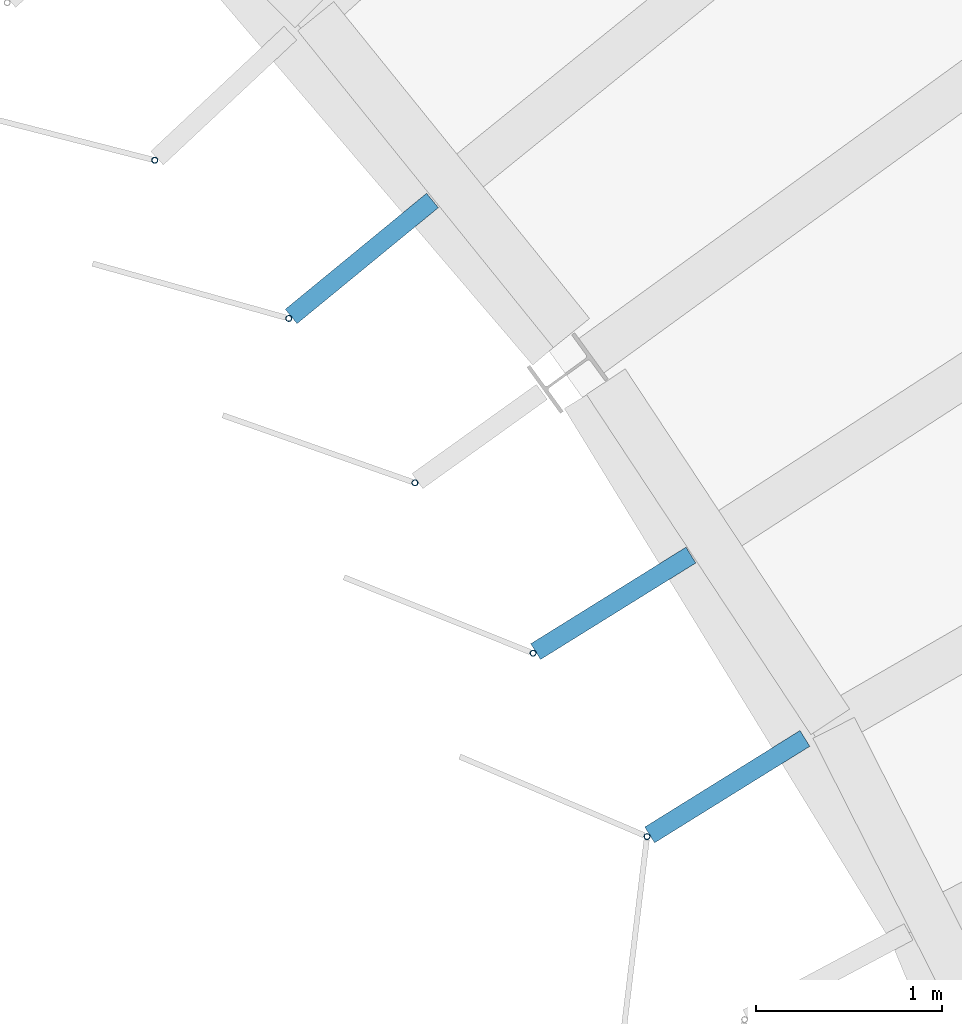
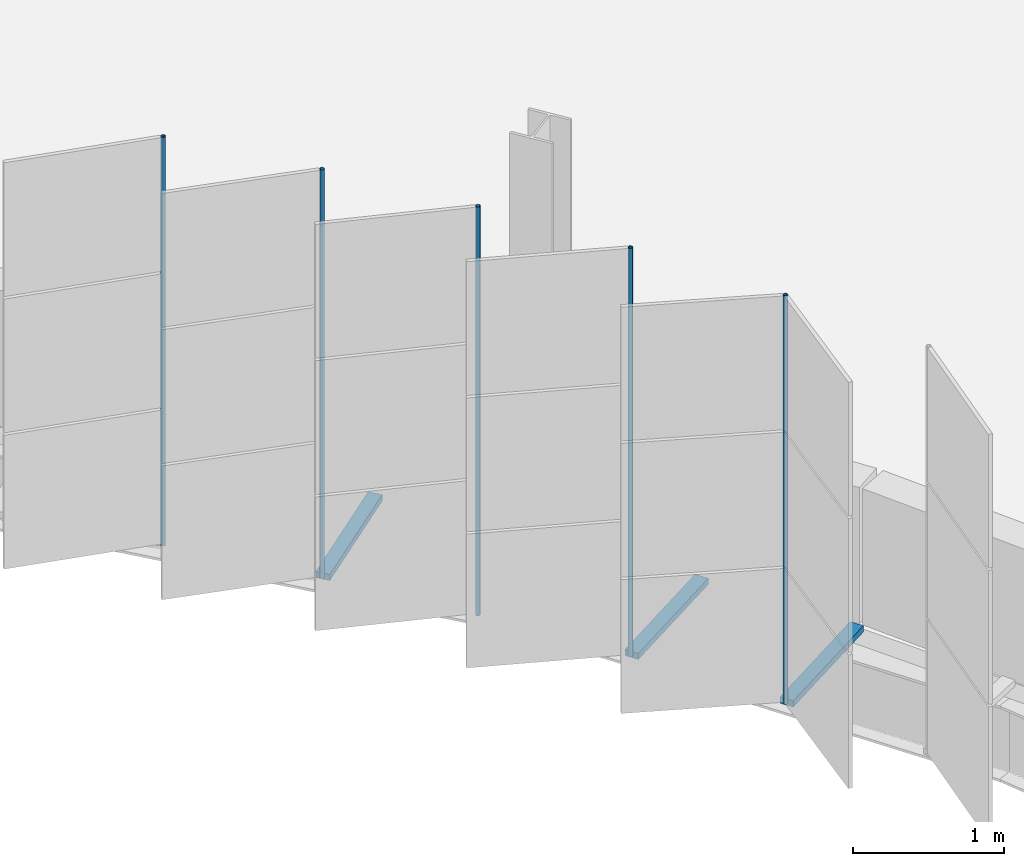
# One storey, part 128 of 214: 8 discrete accessories.
"""IFC4 building model written with IfcOpenShell, lengths in metres."""

from ifc_helpers import new_model, si_unit, direction, frame, origin, origin_2d, place, context, subcontext, project, spatial, rectangle, hollow_circle, extrude, material, material_profile, profile_set, type_object, element, save


model = new_model("IFC4")

# Units and contexts
model_context = context("Model", 3, precision=1e-05, world=origin(), true_north=direction((0.0, 1.0)))
body_context = subcontext(model_context, "Body", "Model", "MODEL_VIEW")
ifc_project = project(units=[si_unit("LENGTHUNIT", "METRE"), si_unit("AREAUNIT", "SQUARE_METRE"), si_unit("VOLUMEUNIT", "CUBIC_METRE"), si_unit("PLANEANGLEUNIT", "RADIAN"), si_unit("MASSUNIT", "GRAM", prefix="KILO")], contexts=[model_context])

# Site, building, storey
site_placement = place(None, origin())
site = spatial("IfcSite", under=ifc_project, at=site_placement, CompositionType="ELEMENT")
building_placement = place(site_placement, origin())
building = spatial("IfcBuilding", under=site, at=building_placement, Name="Parallax Yard Mobility Hub", CompositionType="ELEMENT")
storey_placement = place(building_placement, frame((0.0, 0.0, 3.300048828125)))
storey = spatial("IfcBuildingStorey", under=building, at=storey_placement, Name="L01", CompositionType="ELEMENT", Elevation=3.300048828125)

# Discrete accessories
ifc_material_1 = material(Name="Steel ASTM A36, hot-dip galvanised", Category="steel")
discrete_accessory_type_1 = type_object("IfcDiscreteAccessoryType", Name="Hinge bracket plate 100x50", PredefinedType="BRACKET", material=ifc_material_1)
for number, where, z_axis, x_axis, name in (
    (1, (189.595703125, 103.842041015625, -0.02490234375), (0.0, 0.0, 1.0), (-0.773010453363, -0.634393284164, 0.0), "Hinge bracket plate bay 20.6 level L01"),
    (2, (190.94921875, 101.985595703125, -0.02490234375), (0.0, 0.0, 1.0), (-0.849202181527, -0.52806785065, 0.0), "Hinge bracket plate bay 21.2 level L01"),
    (3, (191.56298828125, 100.998779296875, -0.02490234375), (0.0, 0.0, 1.0), (-0.849202181527, -0.52806785065, 0.0), "Hinge bracket plate bay 21.3 level L01"),
):
    element("IfcDiscreteAccessory", number, at=place(storey_placement, frame(where, z_axis=z_axis, x_axis=x_axis)), inside=storey, type_object=discrete_accessory_type_1, Name=name, PredefinedType="BRACKET", context=body_context, shape_type="SweptSolid", body=[
        extrude(rectangle(XDim=0.984130859375, YDim=0.10009765625, at=origin_2d()), origin(), (0.0, 0.0, 1.0), 0.050048828125),
    ])
ifc_material_2 = material(Name="Steel ASTM A500 Gr C, hot-dip galvanised", Category="steel")
ifc_material_profile = material_profile(ifc_material_2, hollow_circle(Radius=0.016845703125, WallThickness=0.003173828125, at=origin_2d()), Name="CHS 33.7x3.2")
ifc_profile_set = profile_set([ifc_material_profile], Name="Steel ASTM A500 Gr C, hot-dip galvanised")
discrete_accessory_type_2 = type_object("IfcDiscreteAccessoryType", Name="Hinge post CHS 33.7x3.2", PredefinedType="BRACKET", material=ifc_profile_set)
for number, where, z_axis, x_axis, name in (
    (4, (188.481201171875, 104.370849609375, 0.0), (0.0, 0.0, 1.0), (1.0, 0.0, 0.0), "Hinge post bay 20.5 level L01"),
    (5, (189.20263671875, 103.519287109375, 0.0), (0.0, 0.0, 1.0), (1.0, 0.0, 0.0), "Hinge post bay 20.6 level L01"),
    (6, (189.8818359375, 102.63427734375, 0.0), (0.0, 0.0, 1.0), (1.0, 0.0, 0.0), "Hinge post bay 21.1 level L01"),
    (7, (190.517578125, 101.71728515625, 0.0), (0.0, 0.0, 1.0), (1.0, 0.0, 0.0), "Hinge post bay 21.2 level L01"),
    (8, (191.131103515625, 100.730224609375, 0.0), (0.0, 0.0, 1.0), (1.0, 0.0, 0.0), "Hinge post bay 21.3 level L01"),
):
    element("IfcDiscreteAccessory", number, at=place(storey_placement, frame(where, z_axis=z_axis, x_axis=x_axis)), inside=storey, type_object=discrete_accessory_type_2, Name=name, PredefinedType="BRACKET", context=body_context, shape_type="SweptSolid", body=[
        extrude(hollow_circle(Radius=0.016845703125, WallThickness=0.003173828125, at=origin_2d()), origin(), (0.0, 0.0, 1.0), 3.300048828125),
    ])

save(model, "model.ifc")
